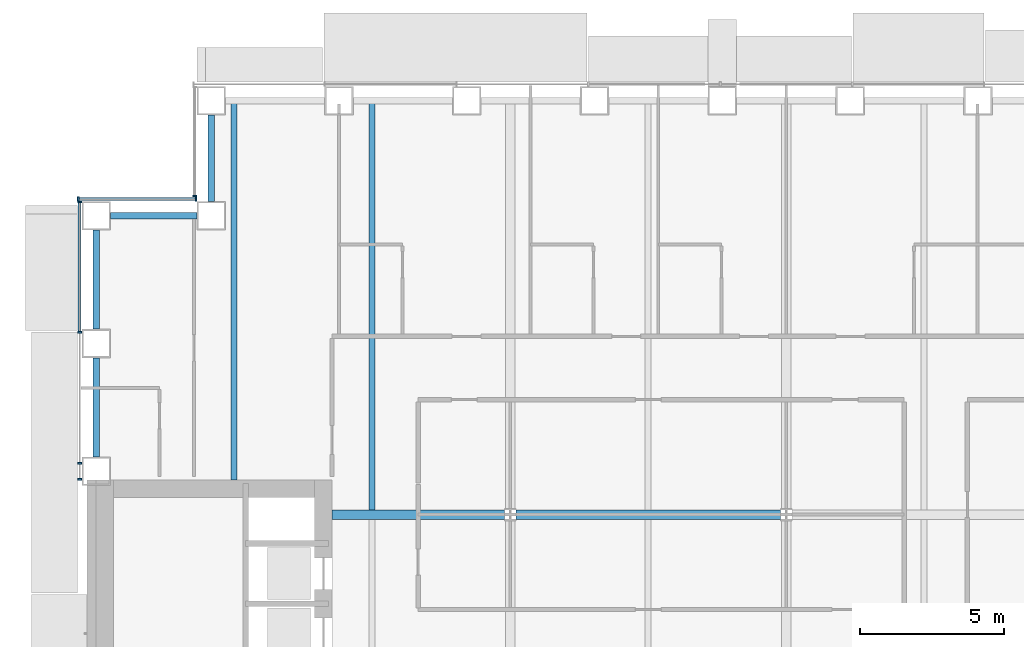
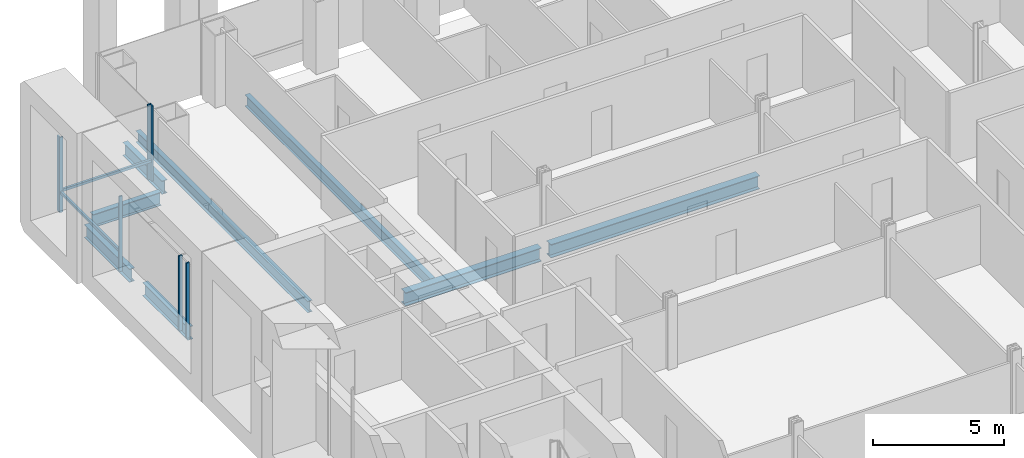
# One storey, part 6 of 25: 9 members, 8 beams, 3 elements without a shape of their own.
"""IFC4 building model written with IfcOpenShell, lengths in metres."""

from ifc_helpers import new_model, si_unit, direction, frame, origin, origin_2d, place, context, subcontext, project, spatial, rectangle, i_section, extrude, material, material_profile, profile_set, type_object, element, aggregate, save


model = new_model("IFC4")

# Units and contexts
model_context = context("Model", 3, precision=1e-05, world=origin(), true_north=direction((0.0, 1.0)))
body_context = subcontext(model_context, "Body", "Model", "MODEL_VIEW")
ifc_project = project(units=[si_unit("LENGTHUNIT", "METRE"), si_unit("AREAUNIT", "SQUARE_METRE"), si_unit("VOLUMEUNIT", "CUBIC_METRE"), si_unit("PLANEANGLEUNIT", "RADIAN"), si_unit("MASSUNIT", "GRAM", prefix="KILO")], contexts=[model_context])

# Site, building, storey
site_placement = place(None, origin())
site = spatial("IfcSite", under=ifc_project, at=site_placement, CompositionType="ELEMENT")
building_placement = place(site_placement, origin())
building = spatial("IfcBuilding", under=site, at=building_placement, Name="Cobrizo Arcos Hotel Tower", CompositionType="ELEMENT")
storey_placement = place(building_placement, frame((0.0, 0.0, 53.0)))
storey = spatial("IfcBuildingStorey", under=building, at=storey_placement, Name="L11", CompositionType="ELEMENT", Elevation=53.0)

# Curtain wall, member
ifc_material_1 = material(Name="Aluminium 6063-T6 anodised bronze", Category="aluminium")
curtain_wall_type = type_object("IfcCurtainWallType", Name="CW-A guest facade", PredefinedType="NOTDEFINED", material=ifc_material_1)
curtain_wall_1_placement = place(storey_placement, origin())
curtain_wall_1 = element("IfcCurtainWall", 1, at=curtain_wall_1_placement, inside=storey, type_object=curtain_wall_type, Name="CW-A L11 W face", PredefinedType="NOTDEFINED")
ifc_material_profile_1 = material_profile(ifc_material_1, rectangle(XDim=0.14990234375, YDim=0.06005859375, at=origin_2d()), Name="CW-A mullion 150x60")
ifc_profile_set_1 = profile_set([ifc_material_profile_1], Name="Aluminium 6063-T6 anodised bronze")
member_type_1 = type_object("IfcMemberType", Name="CW-A mullion 150x60", PredefinedType="MULLION", material=ifc_profile_set_1)
member_1_placement = place(storey_placement, frame((-20.574951171875, 20.679931640625, 0.0), z_axis=(0.0, 0.0, 1.0), x_axis=(-1.0, 0.0, 0.0)))
member_1 = element("IfcMember", 2, at=member_1_placement, type_object=member_type_1, Name="CW-A mullion 2", PredefinedType="MULLION", context=body_context, shape_type="SweptSolid", body=[
    extrude(rectangle(XDim=0.14990234375, YDim=0.06005859375, at=origin_2d()), origin(), (0.0, 0.0, 1.0), 3.5),
])
aggregate(curtain_wall_1, [member_1])

# Curtain wall, members
curtain_wall_2_placement = place(storey_placement, origin())
curtain_wall_2 = element("IfcCurtainWall", 3, at=curtain_wall_2_placement, inside=storey, type_object=curtain_wall_type, Name="CW-A L11 N face", PredefinedType="NOTDEFINED")
member_2_placement = place(storey_placement, frame((-20.530029296875, 20.574951171875, 0.0), z_axis=(0.0, 0.0, 1.0), x_axis=(0.0, 1.0, 0.0)))
member_2 = element("IfcMember", 4, at=member_2_placement, type_object=member_type_1, Name="CW-A mullion 1", PredefinedType="MULLION", context=body_context, shape_type="SweptSolid", body=[
    extrude(rectangle(XDim=0.14990234375, YDim=0.06005859375, at=origin_2d()), origin(), (0.0, 0.0, 1.0), 3.5),
])
member_3_placement = place(storey_placement, frame((-24.6201171875, 20.574951171875, 0.0), z_axis=(0.0, 0.0, 1.0), x_axis=(0.0, 1.0, 0.0)))
member_3 = element("IfcMember", 5, at=member_3_placement, type_object=member_type_1, Name="CW-A mullion 2", PredefinedType="MULLION", context=body_context, shape_type="SweptSolid", body=[
    extrude(rectangle(XDim=0.14990234375, YDim=0.06005859375, at=origin_2d()), origin(), (0.0, 0.0, 1.0), 3.5),
])

curtain_wall_3_placement = place(storey_placement, origin())
curtain_wall_3 = element("IfcCurtainWall", 6, at=curtain_wall_3_placement, inside=storey, type_object=curtain_wall_type, Name="CW-A L11 W face", PredefinedType="NOTDEFINED")
member_4_placement = place(storey_placement, frame((-24.574951171875, 20.469970703125, 0.0), z_axis=(0.0, 0.0, 1.0), x_axis=(-1.0, 0.0, 0.0)))
member_4 = element("IfcMember", 7, at=member_4_placement, type_object=member_type_1, Name="CW-A mullion 1", PredefinedType="MULLION", context=body_context, shape_type="SweptSolid", body=[
    extrude(rectangle(XDim=0.14990234375, YDim=0.06005859375, at=origin_2d()), origin(), (0.0, 0.0, 1.0), 3.5),
])
member_5_placement = place(storey_placement, frame((-24.574951171875, 15.9443359375, 0.0), z_axis=(0.0, 0.0, 1.0), x_axis=(-1.0, 0.0, 0.0)))
member_5 = element("IfcMember", 8, at=member_5_placement, type_object=member_type_1, Name="CW-A mullion 2", PredefinedType="MULLION", context=body_context, shape_type="SweptSolid", body=[
    extrude(rectangle(XDim=0.14990234375, YDim=0.06005859375, at=origin_2d()), origin(), (0.0, 0.0, 1.0), 3.5),
])
member_6_placement = place(storey_placement, frame((-24.574951171875, 11.388916015625, 0.0), z_axis=(0.0, 0.0, 1.0), x_axis=(-1.0, 0.0, 0.0)))
member_6 = element("IfcMember", 9, at=member_6_placement, type_object=member_type_1, Name="CW-A mullion 3", PredefinedType="MULLION", context=body_context, shape_type="SweptSolid", body=[
    extrude(rectangle(XDim=0.14990234375, YDim=0.06005859375, at=origin_2d()), origin(), (0.0, 0.0, 1.0), 3.5),
])
member_7_placement = place(storey_placement, frame((-24.574951171875, 10.830078125, 0.0), z_axis=(0.0, 0.0, 1.0), x_axis=(-1.0, 0.0, 0.0)))
member_7 = element("IfcMember", 10, at=member_7_placement, type_object=member_type_1, Name="CW-A mullion 4", PredefinedType="MULLION", context=body_context, shape_type="SweptSolid", body=[
    extrude(rectangle(XDim=0.14990234375, YDim=0.06005859375, at=origin_2d()), origin(), (0.0, 0.0, 1.0), 3.5),
])

# Member
ifc_material_profile_2 = material_profile(ifc_material_1, rectangle(XDim=0.10009765625, YDim=0.1201171875, at=origin_2d()), Name="CW-A transom 120x100")
ifc_profile_set_2 = profile_set([ifc_material_profile_2], Name="Aluminium 6063-T6 anodised bronze")
member_type_2 = type_object("IfcMemberType", Name="CW-A transom 120x100", PredefinedType="USERDEFINED", material=ifc_profile_set_2)
member_8_placement = place(storey_placement, frame((-20.56005859375, 20.574951171875, 0.929931640625), z_axis=(-1.0, 0.0, 0.0), x_axis=(0.0, -1.0, 0.0)))
member_8 = element("IfcMember", 11, at=member_8_placement, type_object=member_type_2, Name="CW-A transom 542", ObjectType="TRANSOM", PredefinedType="USERDEFINED", context=body_context, shape_type="SweptSolid", body=[
    extrude(rectangle(XDim=0.10009765625, YDim=0.1201171875, at=origin_2d()), origin(), (0.0, 0.0, 1.0), 4.030029296875),
])

aggregate(curtain_wall_2, [member_2, member_3, member_8])

member_9_placement = place(storey_placement, frame((-24.574951171875, 20.43994140625, 0.929931640625), z_axis=(0.0, -1.0, 0.0), x_axis=(1.0, 0.0, 0.0)))
member_9 = element("IfcMember", 12, at=member_9_placement, type_object=member_type_2, Name="CW-A transom 543", ObjectType="TRANSOM", PredefinedType="USERDEFINED", context=body_context, shape_type="SweptSolid", body=[
    extrude(rectangle(XDim=0.10009765625, YDim=0.1201171875, at=origin_2d()), origin(), (0.0, 0.0, 1.0), 4.465576171875),
])

aggregate(curtain_wall_3, [member_4, member_5, member_6, member_7, member_9])

# Beams
ifc_material_2 = material(Name="Steel ASTM A992 Grade 50", Category="steel")
ifc_material_profile_3 = material_profile(ifc_material_2, i_section(OverallWidth=0.209228515625, OverallDepth=0.533447265625, WebThickness=0.01025390625, FlangeThickness=0.015625, at=origin_2d()), Name="W21X62")
ifc_profile_set_3 = profile_set([ifc_material_profile_3], Name="Steel ASTM A992 Grade 50")
beam_type_1 = type_object("IfcBeamType", Name="W21X62 joist", PredefinedType="JOIST", material=ifc_profile_set_3)
beam_1_placement = place(storey_placement, frame((-19.199951171875, 10.81005859375, -0.416748046875), z_axis=(0.0, 1.0, 0.0), x_axis=(-1.0, 0.0, 0.0)))
element("IfcBeam", 13, at=beam_1_placement, inside=storey, type_object=beam_type_1, Name="Floor joist J1, L11, no. 002", PredefinedType="JOIST", context=body_context, shape_type="SweptSolid", body=[
    extrude(i_section(OverallWidth=0.209228515625, OverallDepth=0.533447265625, WebThickness=0.01025390625, FlangeThickness=0.015625, at=origin_2d()), origin(), (0.0, 0.0, 1.0), 13.099853515625),
])
beam_2_placement = place(storey_placement, frame((-14.39990234375, 9.763916015625, -0.416748046875), z_axis=(0.0, 1.0, 0.0), x_axis=(-1.0, 0.0, 0.0)))
element("IfcBeam", 14, at=beam_2_placement, inside=storey, type_object=beam_type_1, Name="Floor joist J1, L11, no. 006", PredefinedType="JOIST", context=body_context, shape_type="SweptSolid", body=[
    extrude(i_section(OverallWidth=0.209228515625, OverallDepth=0.533447265625, WebThickness=0.01025390625, FlangeThickness=0.015625, at=origin_2d()), origin(), (0.0, 0.0, 1.0), 14.14599609375),
])
ifc_material_profile_4 = material_profile(ifc_material_2, i_section(OverallWidth=0.32763671875, OverallDepth=0.622314453125, WebThickness=0.015380859375, FlangeThickness=0.0244140625, at=origin_2d()), Name="W24X131")
ifc_profile_set_4 = profile_set([ifc_material_profile_4], Name="Steel ASTM A992 Grade 50")
beam_type_2 = type_object("IfcBeamType", Name="W24X131 girder", PredefinedType="BEAM", material=ifc_profile_set_4)
beam_3_placement = place(storey_placement, frame((-15.7900390625, 9.60009765625, -0.461181640625), z_axis=(1.0, 0.0, 0.0), x_axis=(0.0, 1.0, 0.0)))
element("IfcBeam", 15, at=beam_3_placement, inside=storey, type_object=beam_type_2, Name="Floor girder G1, L11, no. 009", PredefinedType="BEAM", context=body_context, shape_type="SweptSolid", body=[
    extrude(i_section(OverallWidth=0.32763671875, OverallDepth=0.622314453125, WebThickness=0.015380859375, FlangeThickness=0.0244140625, at=origin_2d()), origin(), (0.0, 0.0, 1.0), 5.985595703125),
])
beam_4_placement = place(storey_placement, frame((-9.3955078125, 9.60009765625, -0.461181640625), z_axis=(1.0, 0.0, 0.0), x_axis=(0.0, 1.0, 0.0)))
element("IfcBeam", 16, at=beam_4_placement, inside=storey, type_object=beam_type_2, Name="Floor girder G1, L11, no. 010", PredefinedType="BEAM", context=body_context, shape_type="SweptSolid", body=[
    extrude(i_section(OverallWidth=0.32763671875, OverallDepth=0.622314453125, WebThickness=0.015380859375, FlangeThickness=0.0244140625, at=origin_2d()), origin(), (0.0, 0.0, 1.0), 9.191162109375),
])
ifc_material_profile_5 = material_profile(ifc_material_2, i_section(OverallWidth=0.23046875, OverallDepth=0.6171875, WebThickness=0.01318359375, FlangeThickness=0.022216796875, at=origin_2d()), Name="W24X94")
ifc_profile_set_5 = profile_set([ifc_material_profile_5], Name="Steel ASTM A992 Grade 50")
beam_type_3 = type_object("IfcBeamType", Name="W24X94 spandrel", PredefinedType="SPANDREL", material=ifc_profile_set_5)
for number, where, z_axis, x_axis, name in (
    (17, (-20.0, 23.5, -0.45849609375), (0.0, -1.0, 0.0), (1.0, 0.0, 0.0), "Spandrel beam W24X94, L11, no. 027"),
    (18, (-20.5, 20.0, -0.45849609375), (-1.0, 0.0, 0.0), (0.0, -1.0, 0.0), "Spandrel beam W24X94, L11, no. 028"),
):
    element("IfcBeam", number, at=place(storey_placement, frame(where, z_axis=z_axis, x_axis=x_axis)), inside=storey, type_object=beam_type_3, Name=name, PredefinedType="SPANDREL", context=body_context, shape_type="SweptSolid", body=[
        extrude(i_section(OverallWidth=0.23046875, OverallDepth=0.6171875, WebThickness=0.01318359375, FlangeThickness=0.022216796875, at=origin_2d()), origin(), (0.0, 0.0, 1.0), 3.0),
    ])
beam_5_placement = place(storey_placement, frame((-24.0, 19.5, -0.45849609375), z_axis=(0.0, -1.0, 0.0), x_axis=(1.0, 0.0, 0.0)))
element("IfcBeam", 19, at=beam_5_placement, inside=storey, type_object=beam_type_3, Name="Spandrel beam W24X94, L11, no. 029", PredefinedType="SPANDREL", context=body_context, shape_type="SweptSolid", body=[
    extrude(i_section(OverallWidth=0.23046875, OverallDepth=0.6171875, WebThickness=0.01318359375, FlangeThickness=0.022216796875, at=origin_2d()), origin(), (0.0, 0.0, 1.0), 3.444091796875),
])
beam_6_placement = place(storey_placement, frame((-24.0, 15.055908203125, -0.45849609375), z_axis=(0.0, -1.0, 0.0), x_axis=(1.0, 0.0, 0.0)))
element("IfcBeam", 20, at=beam_6_placement, inside=storey, type_object=beam_type_3, Name="Spandrel beam W24X94, L11, no. 030", PredefinedType="SPANDREL", context=body_context, shape_type="SweptSolid", body=[
    extrude(i_section(OverallWidth=0.23046875, OverallDepth=0.6171875, WebThickness=0.01318359375, FlangeThickness=0.022216796875, at=origin_2d()), origin(), (0.0, 0.0, 1.0), 3.44482421875),
])

save(model, "model.ifc")
